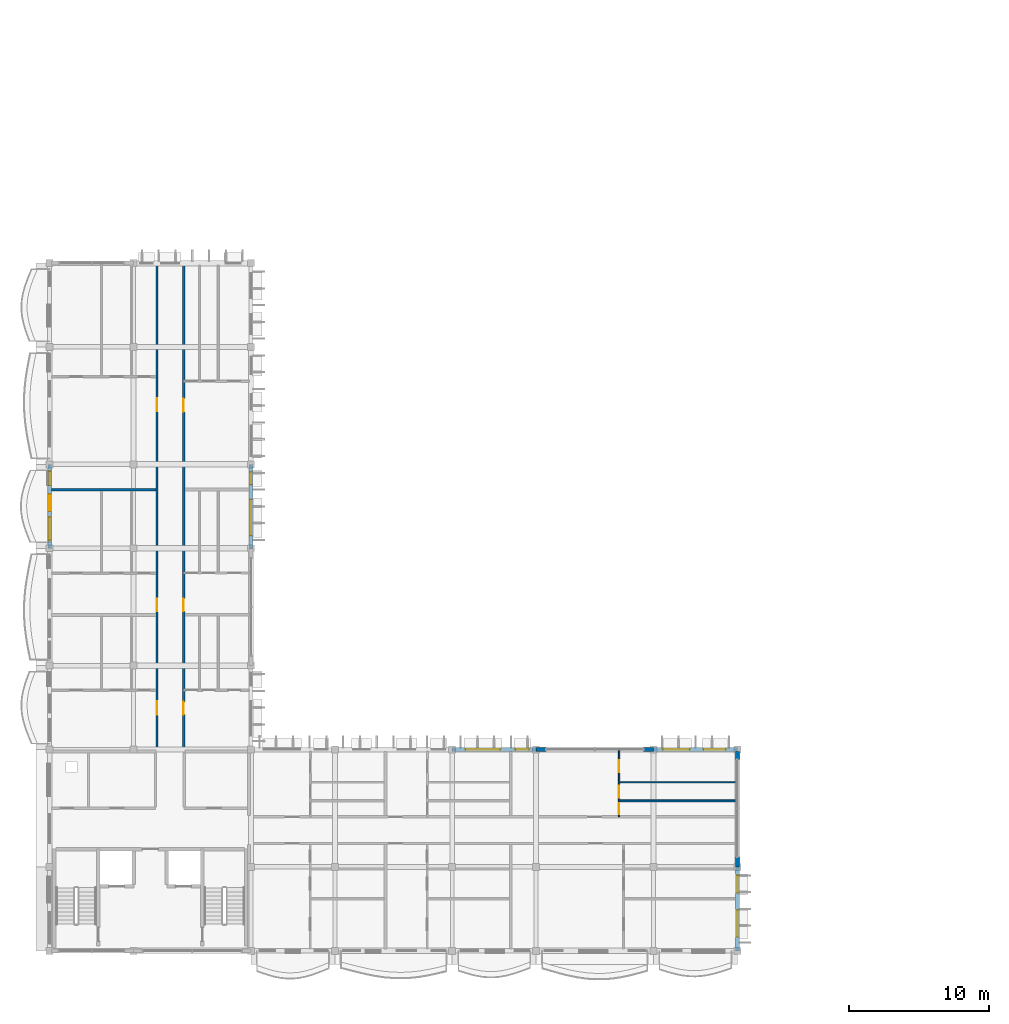
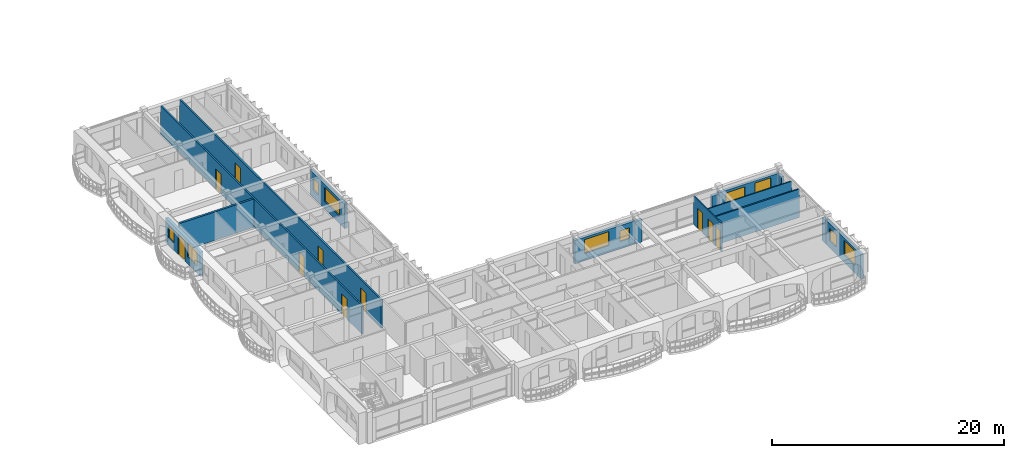
# One storey, part 26 of 68: 15 walls, 10 doors, 10 windows, 20 openings.
"""IFC4 building model written with IfcOpenShell, lengths in metres."""

from ifc_helpers import new_model, si_unit, direction, frame, frame_2d, origin, place, context, subcontext, project, spatial, rectangle, extrude, material, layer, layer_set, type_object, element, fill, save


model = new_model("IFC4")

# Units and contexts
model_context = context("Model", 3, precision=1e-05, world=origin(), true_north=direction((0.0, 1.0)))
body_context = subcontext(model_context, "Body", "Model", "MODEL_VIEW")
ifc_project = project(units=[si_unit("LENGTHUNIT", "METRE"), si_unit("AREAUNIT", "SQUARE_METRE"), si_unit("VOLUMEUNIT", "CUBIC_METRE"), si_unit("PLANEANGLEUNIT", "RADIAN"), si_unit("MASSUNIT", "GRAM", prefix="KILO"), si_unit("THERMODYNAMICTEMPERATUREUNIT", "KELVIN")], contexts=[model_context])

# Site, building, storey
site_placement = place(None, origin())
site = spatial("IfcSite", under=ifc_project, at=site_placement, CompositionType="ELEMENT")
building_placement = place(site_placement, origin())
building = spatial("IfcBuilding", under=site, at=building_placement, Name="Thalorik Housing Commons", CompositionType="ELEMENT")
storey_placement = place(building_placement, frame((0.0, 0.0, 24.60009765625)))
storey = spatial("IfcBuildingStorey", under=building, at=storey_placement, Name="L07", CompositionType="ELEMENT", Elevation=24.60009765625)

# Wall, openings, doors
ifc_material_1 = material(Name="Masonry fire-rated corridor wall", Category="masonry")
ifc_layer_1 = layer(ifc_material_1, 0.14990234375, Name="Masonry fire-rated corridor wall", Category="masonry")
ifc_layer_set_1 = layer_set([ifc_layer_1], Name="Masonry fire-rated corridor wall")
wall_type_1 = type_object("IfcWallType", Name="ARC-WAL-CORR-150", PredefinedType="PARTITIONING", material=ifc_layer_set_1)
wall_1_placement = place(storey_placement, frame((16.080078125, 22.659912109375, 0.0), z_axis=(0.0, 0.0, 1.0), x_axis=(0.0, 1.0, 0.0)))
wall_1 = element("IfcWall", 1, at=wall_1_placement, inside=storey, type_object=wall_type_1, Name="L07 Block C W Corridor Wall 1", PredefinedType="PARTITIONING", context=body_context, shape_type="SweptSolid", body=[
    extrude(rectangle(XDim=34.800537109375, YDim=0.14990234375, at=frame_2d((17.400390625, 0.0))), origin(), (0.0, 0.0, 1.0), 3.0),
])
opening_1_placement = place(wall_1_placement, frame((2.626708984375, 0.0, 0.0)))
opening_1 = element("IfcOpeningElement", 2, at=opening_1_placement, cuts=wall_1, Name="Opening ID-1860", PredefinedType="OPENING", context=body_context, shape_type="SweptSolid", body=[
    extrude(rectangle(XDim=0.9599609375, YDim=2.1201171875, at=frame_2d((0.47998046875, 1.06005859375))), frame((0.0, 0.0849609375, 0.0), z_axis=(0.0, -1.0, 0.0), x_axis=(1.0, 0.0, 0.0)), (0.0, 0.0, 1.0), 0.169921875),
])
opening_2_placement = place(wall_1_placement, frame((10.02001953125, 0.0, 0.0)))
opening_2 = element("IfcOpeningElement", 3, at=opening_2_placement, cuts=wall_1, Name="Opening ID-1861", PredefinedType="OPENING", context=body_context, shape_type="SweptSolid", body=[
    extrude(rectangle(XDim=0.919921875, YDim=2.10009765625, at=frame_2d((0.4599609375, 1.050048828125))), frame((0.0, 0.0849609375, 0.0), z_axis=(0.0, -1.0, 0.0), x_axis=(1.0, 0.0, 0.0)), (0.0, 0.0, 1.0), 0.169921875),
])
opening_3_placement = place(wall_1_placement, frame((24.354736328125, 0.0, 0.0)))
opening_3 = element("IfcOpeningElement", 4, at=opening_3_placement, cuts=wall_1, Name="Opening ID-1862", PredefinedType="OPENING", context=body_context, shape_type="SweptSolid", body=[
    extrude(rectangle(XDim=0.919921875, YDim=2.10009765625, at=frame_2d((0.4599609375, 1.050048828125))), frame((0.0, 0.0849609375, 0.0), z_axis=(0.0, -1.0, 0.0), x_axis=(1.0, 0.0, 0.0)), (0.0, 0.0, 1.0), 0.169921875),
])
ifc_material_2 = material(Name="Solid core hardwood timber", Category="wood")
door_type_1 = type_object("IfcDoorType", Name="ARC-DR-FD30-920", OperationType="NOTDEFINED", PredefinedType="DOOR", material=ifc_material_2)
door_1_placement = place(opening_2_placement, origin())
door_1 = element("IfcDoor", 5, at=door_1_placement, inside=storey, type_object=door_type_1, Name="L07 Flat CW-2A Entrance Door", OperationType="SINGLE_SWING_RIGHT", OverallHeight=2.10009765625, OverallWidth=0.919921875, PredefinedType="DOOR", context=body_context, shape_type="SweptSolid", body=[
    extrude(rectangle(XDim=0.919921875, YDim=2.10009765625, at=frame_2d((0.4599609375, 1.050048828125))), frame((0.0, 0.02490234375, 0.0), z_axis=(0.0, -1.0, 0.0), x_axis=(1.0, 0.0, 0.0)), (0.0, 0.0, 1.0), 0.050048828125),
])
fill(opening_2, door_1)
door_2_placement = place(opening_3_placement, origin())
door_2 = element("IfcDoor", 6, at=door_2_placement, inside=storey, type_object=door_type_1, Name="L07 Flat CW-3A Entrance Door", OperationType="SINGLE_SWING_LEFT", OverallHeight=2.10009765625, OverallWidth=0.919921875, PredefinedType="DOOR", context=body_context, shape_type="SweptSolid", body=[
    extrude(rectangle(XDim=0.919921875, YDim=2.10009765625, at=frame_2d((0.4599609375, 1.050048828125))), frame((0.0, 0.02490234375, 0.0), z_axis=(0.0, -1.0, 0.0), x_axis=(1.0, 0.0, 0.0)), (0.0, 0.0, 1.0), 0.050048828125),
])
fill(opening_3, door_2)
door_type_2 = type_object("IfcDoorType", Name="ARC-DR-FD30-960", OperationType="NOTDEFINED", PredefinedType="DOOR", material=ifc_material_2)
door_3_placement = place(opening_1_placement, origin())
door_3 = element("IfcDoor", 7, at=door_3_placement, inside=storey, type_object=door_type_2, Name="L07 Flat CW-1A Entrance Door", OperationType="SINGLE_SWING_LEFT", OverallHeight=2.1201171875, OverallWidth=0.9599609375, PredefinedType="DOOR", context=body_context, shape_type="SweptSolid", body=[
    extrude(rectangle(XDim=0.9599609375, YDim=2.1201171875, at=frame_2d((0.47998046875, 1.06005859375))), frame((0.0, 0.02490234375, 0.0), z_axis=(0.0, -1.0, 0.0), x_axis=(1.0, 0.0, 0.0)), (0.0, 0.0, 1.0), 0.050048828125),
])
fill(opening_1, door_3)

ifc_layer_2 = layer(ifc_material_1, 0.1650390625, Name="Masonry fire-rated corridor wall", Category="masonry")
ifc_layer_set_2 = layer_set([ifc_layer_2], Name="Masonry fire-rated corridor wall")
wall_type_2 = type_object("IfcWallType", Name="ARC-WAL-CORR-165", PredefinedType="PARTITIONING", material=ifc_layer_set_2)
wall_2_placement = place(storey_placement, frame((17.97998046875, 22.659912109375, 0.0), z_axis=(0.0, 0.0, 1.0), x_axis=(0.0, 1.0, 0.0)))
wall_2 = element("IfcWall", 8, at=wall_2_placement, inside=storey, type_object=wall_type_2, Name="L07 Block C W Corridor Wall 2", PredefinedType="PARTITIONING", context=body_context, shape_type="SweptSolid", body=[
    extrude(rectangle(XDim=34.800537109375, YDim=0.1650390625, at=frame_2d((17.400390625, 0.0))), origin(), (0.0, 0.0, 1.0), 3.0),
])
opening_4_placement = place(wall_2_placement, frame((2.63037109375, 0.0, 0.0)))
opening_4 = element("IfcOpeningElement", 9, at=opening_4_placement, cuts=wall_2, Name="Opening ID-1863", PredefinedType="OPENING", context=body_context, shape_type="SweptSolid", body=[
    extrude(rectangle(XDim=0.919921875, YDim=2.10009765625, at=frame_2d((0.4599609375, 1.050048828125))), frame((0.0, 0.092529296875, 0.0), z_axis=(0.0, -1.0, 0.0), x_axis=(1.0, 0.0, 0.0)), (0.0, 0.0, 1.0), 0.18505859375),
])
opening_5_placement = place(wall_2_placement, frame((10.02001953125, 0.0, 0.0)))
opening_5 = element("IfcOpeningElement", 10, at=opening_5_placement, cuts=wall_2, Name="Opening ID-1864", PredefinedType="OPENING", context=body_context, shape_type="SweptSolid", body=[
    extrude(rectangle(XDim=0.919921875, YDim=2.10009765625, at=frame_2d((0.4599609375, 1.050048828125))), frame((0.0, 0.092529296875, 0.0), z_axis=(0.0, -1.0, 0.0), x_axis=(1.0, 0.0, 0.0)), (0.0, 0.0, 1.0), 0.18505859375),
])
opening_6_placement = place(wall_2_placement, frame((24.288818359375, 0.0, 0.0)))
opening_6 = element("IfcOpeningElement", 11, at=opening_6_placement, cuts=wall_2, Name="Opening ID-1865", PredefinedType="OPENING", context=body_context, shape_type="SweptSolid", body=[
    extrude(rectangle(XDim=0.9599609375, YDim=2.1201171875, at=frame_2d((0.47998046875, 1.06005859375))), frame((0.0, 0.092529296875, 0.0), z_axis=(0.0, -1.0, 0.0), x_axis=(1.0, 0.0, 0.0)), (0.0, 0.0, 1.0), 0.18505859375),
])
door_4_placement = place(opening_4_placement, origin())
door_4 = element("IfcDoor", 12, at=door_4_placement, inside=storey, type_object=door_type_1, Name="L07 Flat CW-1B Entrance Door", OperationType="SINGLE_SWING_RIGHT", OverallHeight=2.10009765625, OverallWidth=0.919921875, PredefinedType="DOOR", context=body_context, shape_type="SweptSolid", body=[
    extrude(rectangle(XDim=0.919921875, YDim=2.10009765625, at=frame_2d((0.4599609375, 1.050048828125))), frame((0.0, 0.02490234375, 0.0), z_axis=(0.0, -1.0, 0.0), x_axis=(1.0, 0.0, 0.0)), (0.0, 0.0, 1.0), 0.050048828125),
])
fill(opening_4, door_4)
door_5_placement = place(opening_5_placement, origin())
door_5 = element("IfcDoor", 13, at=door_5_placement, inside=storey, type_object=door_type_1, Name="L07 Flat CW-2B Entrance Door", OperationType="SINGLE_SWING_LEFT", OverallHeight=2.10009765625, OverallWidth=0.919921875, PredefinedType="DOOR", context=body_context, shape_type="SweptSolid", body=[
    extrude(rectangle(XDim=0.919921875, YDim=2.10009765625, at=frame_2d((0.4599609375, 1.050048828125))), frame((0.0, 0.02490234375, 0.0), z_axis=(0.0, -1.0, 0.0), x_axis=(1.0, 0.0, 0.0)), (0.0, 0.0, 1.0), 0.050048828125),
])
fill(opening_5, door_5)
door_6_placement = place(opening_6_placement, origin())
door_6 = element("IfcDoor", 14, at=door_6_placement, inside=storey, type_object=door_type_2, Name="L07 Flat CW-3B Entrance Door", OperationType="SINGLE_SWING_RIGHT", OverallHeight=2.1201171875, OverallWidth=0.9599609375, PredefinedType="DOOR", context=body_context, shape_type="SweptSolid", body=[
    extrude(rectangle(XDim=0.9599609375, YDim=2.1201171875, at=frame_2d((0.47998046875, 1.06005859375))), frame((0.0, 0.02490234375, 0.0), z_axis=(0.0, -1.0, 0.0), x_axis=(1.0, 0.0, 0.0)), (0.0, 0.0, 1.0), 0.050048828125),
])
fill(opening_6, door_6)

# Wall, openings, windows
ifc_material_3 = material(Name="White precast concrete C40/50", Category="concrete")
ifc_layer_3 = layer(ifc_material_3, 0.27490234375, Name="White precast concrete C40/50", Category="concrete")
ifc_layer_set_3 = layer_set([ifc_layer_3], Name="White precast concrete C40/50")
wall_type_3 = type_object("IfcWallType", Name="ARC-WAL-EXT-275", PredefinedType="STANDARD", material=ifc_layer_set_3)
wall_3_placement = place(storey_placement, frame((22.800048828125, 37.199951171875, 0.0), z_axis=(0.0, 0.0, 1.0), x_axis=(0.0, 1.0, 0.0)))
wall_3 = element("IfcWall", 15, at=wall_3_placement, inside=storey, type_object=wall_type_3, Name="L07 Exterior Wall WAL-EXT-L07-C-1019", PredefinedType="STANDARD", context=body_context, shape_type="SweptSolid", body=[
    extrude(rectangle(XDim=6.0, YDim=0.27490234375, at=frame_2d((3.0, 0.0))), origin(), (0.0, 0.0, 1.0), 2.574951171875),
])
opening_7_placement = place(wall_3_placement, frame((0.89990234375, 0.0, 0.780029296875)))
opening_7 = element("IfcOpeningElement", 16, at=opening_7_placement, cuts=wall_3, Name="Opening W-73", PredefinedType="OPENING", context=body_context, shape_type="SweptSolid", body=[
    extrude(rectangle(XDim=2.580078125, YDim=1.47998046875, at=frame_2d((1.2900390625, 0.739990234375))), frame((0.0, 0.1474609375, 0.0), z_axis=(0.0, -1.0, 0.0), x_axis=(1.0, 0.0, 0.0)), (0.0, 0.0, 1.0), 0.294921875),
])
opening_8_placement = place(wall_3_placement, frame((4.550048828125, 0.0, 0.780029296875)))
opening_8 = element("IfcOpeningElement", 17, at=opening_8_placement, cuts=wall_3, Name="Opening W-01", PredefinedType="OPENING", context=body_context, shape_type="SweptSolid", body=[
    extrude(rectangle(XDim=0.89990234375, YDim=1.199951171875, at=frame_2d((0.449951171875, 0.60009765625))), frame((0.0, 0.1474609375, 0.0), z_axis=(0.0, -1.0, 0.0), x_axis=(1.0, 0.0, 0.0)), (0.0, 0.0, 1.0), 0.294921875),
])
ifc_material_4 = material(Name="Anodised aluminium and solar-control low-E glass", Category="aluminium")
window_type_1 = type_object("IfcWindowType", Name="ARC-WIN-01", PartitioningType="SINGLE_PANEL", PredefinedType="WINDOW", material=ifc_material_4)
window_1_placement = place(opening_8_placement, origin())
window_1 = element("IfcWindow", 18, at=window_1_placement, inside=storey, type_object=window_type_1, Name="L07 Facade Window 1884", OverallHeight=1.199951171875, OverallWidth=0.89990234375, PartitioningType="SINGLE_PANEL", PredefinedType="WINDOW", context=body_context, shape_type="SweptSolid", body=[
    extrude(rectangle(XDim=0.89990234375, YDim=1.199951171875, at=frame_2d((0.449951171875, 0.60009765625))), frame((0.0, 0.030029296875, 0.0), z_axis=(0.0, -1.0, 0.0), x_axis=(1.0, 0.0, 0.0)), (0.0, 0.0, 1.0), 0.06005859375),
])
fill(opening_8, window_1)
window_type_2 = type_object("IfcWindowType", Name="ARC-WIN-73", PartitioningType="DOUBLE_PANEL_VERTICAL", PredefinedType="WINDOW", material=ifc_material_4)
window_2_placement = place(opening_7_placement, origin())
window_2 = element("IfcWindow", 19, at=window_2_placement, inside=storey, type_object=window_type_2, Name="L07 Facade Window 1883", OverallHeight=1.47998046875, OverallWidth=2.580078125, PartitioningType="DOUBLE_PANEL_VERTICAL", PredefinedType="WINDOW", context=body_context, shape_type="SweptSolid", body=[
    extrude(rectangle(XDim=2.580078125, YDim=1.47998046875, at=frame_2d((1.2900390625, 0.739990234375))), frame((0.0, 0.030029296875, 0.0), z_axis=(0.0, -1.0, 0.0), x_axis=(1.0, 0.0, 0.0)), (0.0, 0.0, 1.0), 0.06005859375),
])
fill(opening_7, window_2)

# Wall, openings, door, windows
wall_4_placement = place(storey_placement, frame((8.39990234375, 43.199951171875, 0.0), z_axis=(0.0, 0.0, 1.0), x_axis=(0.0, -1.0, 0.0)))
wall_4 = element("IfcWall", 20, at=wall_4_placement, inside=storey, type_object=wall_type_3, Name="L07 Exterior Wall WAL-EXT-L07-C-1026", PredefinedType="STANDARD", context=body_context, shape_type="SweptSolid", body=[
    extrude(rectangle(XDim=6.0, YDim=0.27490234375, at=frame_2d((3.0, 0.0))), origin(), (0.0, 0.0, 1.0), 2.574951171875),
])
opening_9_placement = place(wall_4_placement, frame((2.139892578125, 0.0, 0.0)))
opening_9 = element("IfcOpeningElement", 21, at=opening_9_placement, cuts=wall_4, Name="Opening ED-0340", PredefinedType="OPENING", context=body_context, shape_type="SweptSolid", body=[
    extrude(rectangle(XDim=1.199951171875, YDim=2.14990234375, at=frame_2d((0.60009765625, 1.074951171875))), frame((0.0, 0.1474609375, 0.0), z_axis=(0.0, -1.0, 0.0), x_axis=(1.0, 0.0, 0.0)), (0.0, 0.0, 1.0), 0.294921875),
])
opening_10_placement = place(wall_4_placement, frame((0.5, 0.0, 0.780029296875)))
opening_10 = element("IfcOpeningElement", 22, at=opening_10_placement, cuts=wall_4, Name="Opening W-02", PredefinedType="OPENING", context=body_context, shape_type="SweptSolid", body=[
    extrude(rectangle(XDim=1.0, YDim=1.25, at=frame_2d((0.5, 0.625))), frame((0.0, 0.1474609375, 0.0), z_axis=(0.0, -1.0, 0.0), x_axis=(1.0, 0.0, 0.0)), (0.0, 0.0, 1.0), 0.294921875),
])
opening_11_placement = place(wall_4_placement, frame((3.77490234375, 0.0, 0.780029296875)))
opening_11 = element("IfcOpeningElement", 23, at=opening_11_placement, cuts=wall_4, Name="Opening W-15", PredefinedType="OPENING", context=body_context, shape_type="SweptSolid", body=[
    extrude(rectangle(XDim=1.64990234375, YDim=1.5, at=frame_2d((0.824951171875, 0.75))), frame((0.0, 0.1474609375, 0.0), z_axis=(0.0, -1.0, 0.0), x_axis=(1.0, 0.0, 0.0)), (0.0, 0.0, 1.0), 0.294921875),
])
ifc_material_5 = material(Name="Anodised aluminium and laminated safety glass", Category="aluminium")
door_type_3 = type_object("IfcDoorType", Name="ARC-DR-BAL-1200", OperationType="NOTDEFINED", PredefinedType="DOOR", material=ifc_material_5)
door_7_placement = place(opening_9_placement, frame((1.199951171875, 0.0, 0.0), z_axis=(0.0, 0.0, 1.0), x_axis=(-1.0, 0.0, 0.0)))
door_7 = element("IfcDoor", 24, at=door_7_placement, inside=storey, type_object=door_type_3, Name="L07 Block C Balcony Glazed Door", OperationType="SINGLE_SWING_LEFT", OverallHeight=2.14990234375, OverallWidth=1.199951171875, PredefinedType="DOOR", context=body_context, shape_type="SweptSolid", body=[
    extrude(rectangle(XDim=1.199951171875, YDim=2.14990234375, at=frame_2d((0.60009765625, 1.074951171875))), frame((0.0, 0.02490234375, 0.0), z_axis=(0.0, -1.0, 0.0), x_axis=(1.0, 0.0, 0.0)), (0.0, 0.0, 1.0), 0.050048828125),
])
fill(opening_9, door_7)
window_type_3 = type_object("IfcWindowType", Name="ARC-WIN-02", PartitioningType="SINGLE_PANEL", PredefinedType="WINDOW", material=ifc_material_4)
window_3_placement = place(opening_10_placement, origin())
window_3 = element("IfcWindow", 25, at=window_3_placement, inside=storey, type_object=window_type_3, Name="L07 Facade Window 1896", OverallHeight=1.25, OverallWidth=1.0, PartitioningType="SINGLE_PANEL", PredefinedType="WINDOW", context=body_context, shape_type="SweptSolid", body=[
    extrude(rectangle(XDim=1.0, YDim=1.25, at=frame_2d((0.5, 0.625))), frame((0.0, 0.030029296875, 0.0), z_axis=(0.0, -1.0, 0.0), x_axis=(1.0, 0.0, 0.0)), (0.0, 0.0, 1.0), 0.06005859375),
])
fill(opening_10, window_3)
window_type_4 = type_object("IfcWindowType", Name="ARC-WIN-15", PartitioningType="DOUBLE_PANEL_VERTICAL", PredefinedType="WINDOW", material=ifc_material_4)
window_4_placement = place(opening_11_placement, origin())
window_4 = element("IfcWindow", 26, at=window_4_placement, inside=storey, type_object=window_type_4, Name="L07 Facade Window 1897", OverallHeight=1.5, OverallWidth=1.64990234375, PartitioningType="DOUBLE_PANEL_VERTICAL", PredefinedType="WINDOW", context=body_context, shape_type="SweptSolid", body=[
    extrude(rectangle(XDim=1.64990234375, YDim=1.5, at=frame_2d((0.824951171875, 0.75))), frame((0.0, 0.030029296875, 0.0), z_axis=(0.0, -1.0, 0.0), x_axis=(1.0, 0.0, 0.0)), (0.0, 0.0, 1.0), 0.06005859375),
])
fill(opening_11, window_4)

# Wall, openings, windows
wall_5_placement = place(storey_placement, frame((57.60009765625, 8.39990234375, 0.0), z_axis=(0.0, 0.0, 1.0), x_axis=(0.0, 1.0, 0.0)))
wall_5 = element("IfcWall", 27, at=wall_5_placement, inside=storey, type_object=wall_type_3, Name="L07 Exterior Wall WAL-EXT-L07-C-1038", PredefinedType="STANDARD", context=body_context, shape_type="SweptSolid", body=[
    extrude(rectangle(XDim=6.0, YDim=0.27490234375, at=frame_2d((3.0, 0.0))), origin(), (0.0, 0.0, 1.0), 2.574951171875),
])
opening_12_placement = place(wall_5_placement, frame((1.00390625, 0.0, 0.780029296875)))
opening_12 = element("IfcOpeningElement", 28, at=opening_12_placement, cuts=wall_5, Name="Opening W-21", PredefinedType="OPENING", context=body_context, shape_type="SweptSolid", body=[
    extrude(rectangle(XDim=1.89990234375, YDim=1.550048828125, at=frame_2d((0.949951171875, 0.77490234375))), frame((0.0, 0.1474609375, 0.0), z_axis=(0.0, -1.0, 0.0), x_axis=(1.0, 0.0, 0.0)), (0.0, 0.0, 1.0), 0.294921875),
])
opening_13_placement = place(wall_5_placement, frame((4.138916015625, 0.0, 0.780029296875)))
opening_13 = element("IfcOpeningElement", 29, at=opening_13_placement, cuts=wall_5, Name="Opening W-46", PredefinedType="OPENING", context=body_context, shape_type="SweptSolid", body=[
    extrude(rectangle(XDim=1.25, YDim=1.300048828125, at=frame_2d((0.625, 0.64990234375))), frame((0.0, 0.1474609375, 0.0), z_axis=(0.0, -1.0, 0.0), x_axis=(1.0, 0.0, 0.0)), (0.0, 0.0, 1.0), 0.294921875),
])
window_type_5 = type_object("IfcWindowType", Name="ARC-WIN-21", PartitioningType="DOUBLE_PANEL_VERTICAL", PredefinedType="WINDOW", material=ifc_material_4)
window_5_placement = place(opening_12_placement, origin())
window_5 = element("IfcWindow", 30, at=window_5_placement, inside=storey, type_object=window_type_5, Name="L07 Facade Window 1917", OverallHeight=1.550048828125, OverallWidth=1.89990234375, PartitioningType="DOUBLE_PANEL_VERTICAL", PredefinedType="WINDOW", context=body_context, shape_type="SweptSolid", body=[
    extrude(rectangle(XDim=1.89990234375, YDim=1.550048828125, at=frame_2d((0.949951171875, 0.77490234375))), frame((0.0, 0.030029296875, 0.0), z_axis=(0.0, -1.0, 0.0), x_axis=(1.0, 0.0, 0.0)), (0.0, 0.0, 1.0), 0.06005859375),
])
fill(opening_12, window_5)
window_type_6 = type_object("IfcWindowType", Name="ARC-WIN-46", PartitioningType="SINGLE_PANEL", PredefinedType="WINDOW", material=ifc_material_4)
window_6_placement = place(opening_13_placement, origin())
window_6 = element("IfcWindow", 31, at=window_6_placement, inside=storey, type_object=window_type_6, Name="L07 Facade Window 1918", OverallHeight=1.300048828125, OverallWidth=1.25, PartitioningType="SINGLE_PANEL", PredefinedType="WINDOW", context=body_context, shape_type="SweptSolid", body=[
    extrude(rectangle(XDim=1.25, YDim=1.300048828125, at=frame_2d((0.625, 0.64990234375))), frame((0.0, 0.030029296875, 0.0), z_axis=(0.0, -1.0, 0.0), x_axis=(1.0, 0.0, 0.0)), (0.0, 0.0, 1.0), 0.06005859375),
])
fill(opening_13, window_6)

# Walls
wall_6_placement = place(storey_placement, frame((57.60009765625, 14.39990234375, 0.0), z_axis=(0.0, 0.0, 1.0), x_axis=(0.0, 1.0, 0.0)))
element("IfcWall", 32, at=wall_6_placement, inside=storey, type_object=wall_type_3, Name="L07 Exterior Wall WAL-PIERL-L07-C-1039", PredefinedType="STANDARD", context=body_context, shape_type="SweptSolid", body=[
    extrude(rectangle(XDim=0.7001953125, YDim=0.27490234375, at=frame_2d((0.35009765625, 0.0))), origin(), (0.0, 0.0, 1.0), 2.4248046875),
])
wall_7_placement = place(storey_placement, frame((57.60009765625, 22.10009765625, 0.0), z_axis=(0.0, 0.0, 1.0), x_axis=(0.0, 1.0, 0.0)))
element("IfcWall", 33, at=wall_7_placement, inside=storey, type_object=wall_type_3, Name="L07 Exterior Wall WAL-PIERR-L07-C-1039", PredefinedType="STANDARD", context=body_context, shape_type="SweptSolid", body=[
    extrude(rectangle(XDim=0.560302734375, YDim=0.27490234375, at=frame_2d((0.2802734375, 0.0))), origin(), (0.0, 0.0, 1.0), 2.4248046875),
])

# Wall, openings, windows
wall_8_placement = place(storey_placement, frame((57.60009765625, 22.800048828125, 0.0), z_axis=(0.0, 0.0, 1.0), x_axis=(-1.0, 0.0, 0.0)))
wall_8 = element("IfcWall", 34, at=wall_8_placement, inside=storey, type_object=wall_type_3, Name="L07 Exterior Wall WAL-EXT-L07-C-1040", PredefinedType="STANDARD", context=body_context, shape_type="SweptSolid", body=[
    extrude(rectangle(XDim=6.0, YDim=0.27490234375, at=frame_2d((3.0, 0.0))), origin(), (0.0, 0.0, 1.0), 2.474853515625),
])
opening_14_placement = place(wall_8_placement, frame((0.840087890625, 0.0, 0.780029296875)))
opening_14 = element("IfcOpeningElement", 35, at=opening_14_placement, cuts=wall_8, Name="Opening W-53", PredefinedType="OPENING", context=body_context, shape_type="SweptSolid", body=[
    extrude(rectangle(XDim=1.580078125, YDim=1.47998046875, at=frame_2d((0.7900390625, 0.739990234375))), frame((0.0, 0.1474609375, 0.0), z_axis=(0.0, -1.0, 0.0), x_axis=(1.0, 0.0, 0.0)), (0.0, 0.0, 1.0), 0.294921875),
])
opening_15_placement = place(wall_8_placement, frame((3.409912109375, 0.0, 0.780029296875)))
opening_15 = element("IfcOpeningElement", 36, at=opening_15_placement, cuts=wall_8, Name="Opening W-60", PredefinedType="OPENING", context=body_context, shape_type="SweptSolid", body=[
    extrude(rectangle(XDim=1.919921875, YDim=1.43994140625, at=frame_2d((0.9599609375, 0.719970703125))), frame((0.0, 0.1474609375, 0.0), z_axis=(0.0, -1.0, 0.0), x_axis=(1.0, 0.0, 0.0)), (0.0, 0.0, 1.0), 0.294921875),
])
window_type_7 = type_object("IfcWindowType", Name="ARC-WIN-53", PartitioningType="SINGLE_PANEL", PredefinedType="WINDOW", material=ifc_material_4)
window_7_placement = place(opening_14_placement, origin())
window_7 = element("IfcWindow", 37, at=window_7_placement, inside=storey, type_object=window_type_7, Name="L07 Facade Window 1919", OverallHeight=1.47998046875, OverallWidth=1.580078125, PartitioningType="SINGLE_PANEL", PredefinedType="WINDOW", context=body_context, shape_type="SweptSolid", body=[
    extrude(rectangle(XDim=1.580078125, YDim=1.47998046875, at=frame_2d((0.7900390625, 0.739990234375))), frame((0.0, 0.030029296875, 0.0), z_axis=(0.0, -1.0, 0.0), x_axis=(1.0, 0.0, 0.0)), (0.0, 0.0, 1.0), 0.06005859375),
])
fill(opening_14, window_7)
window_type_8 = type_object("IfcWindowType", Name="ARC-WIN-60", PartitioningType="DOUBLE_PANEL_VERTICAL", PredefinedType="WINDOW", material=ifc_material_4)
window_8_placement = place(opening_15_placement, origin())
window_8 = element("IfcWindow", 38, at=window_8_placement, inside=storey, type_object=window_type_8, Name="L07 Facade Window 1920", OverallHeight=1.43994140625, OverallWidth=1.919921875, PartitioningType="DOUBLE_PANEL_VERTICAL", PredefinedType="WINDOW", context=body_context, shape_type="SweptSolid", body=[
    extrude(rectangle(XDim=1.919921875, YDim=1.43994140625, at=frame_2d((0.9599609375, 0.719970703125))), frame((0.0, 0.030029296875, 0.0), z_axis=(0.0, -1.0, 0.0), x_axis=(1.0, 0.0, 0.0)), (0.0, 0.0, 1.0), 0.06005859375),
])
fill(opening_15, window_8)

# Walls
wall_9_placement = place(storey_placement, frame((51.60009765625, 22.800048828125, 0.0), z_axis=(0.0, 0.0, 1.0), x_axis=(-1.0, 0.0, 0.0)))
element("IfcWall", 39, at=wall_9_placement, inside=storey, type_object=wall_type_3, Name="L07 Exterior Wall WAL-PIERL-L07-C-1041", PredefinedType="STANDARD", context=body_context, shape_type="SweptSolid", body=[
    extrude(rectangle(XDim=0.7001953125, YDim=0.27490234375, at=frame_2d((0.35009765625, 0.0))), origin(), (0.0, 0.0, 1.0), 2.375),
])
wall_10_placement = place(storey_placement, frame((43.89990234375, 22.800048828125, 0.0), z_axis=(0.0, 0.0, 1.0), x_axis=(-1.0, 0.0, 0.0)))
element("IfcWall", 40, at=wall_10_placement, inside=storey, type_object=wall_type_3, Name="L07 Exterior Wall WAL-PIERR-L07-C-1041", PredefinedType="STANDARD", context=body_context, shape_type="SweptSolid", body=[
    extrude(rectangle(XDim=0.699951171875, YDim=0.27490234375, at=frame_2d((0.35009765625, 0.0))), origin(), (0.0, 0.0, 1.0), 2.375),
])

# Wall, openings, windows
wall_11_placement = place(storey_placement, frame((43.199951171875, 22.800048828125, 0.0), z_axis=(0.0, 0.0, 1.0), x_axis=(-1.0, 0.0, 0.0)))
wall_11 = element("IfcWall", 41, at=wall_11_placement, inside=storey, type_object=wall_type_3, Name="L07 Exterior Wall WAL-EXT-L07-C-1042", PredefinedType="STANDARD", context=body_context, shape_type="SweptSolid", body=[
    extrude(rectangle(XDim=6.0, YDim=0.27490234375, at=frame_2d((3.0, 0.0))), origin(), (0.0, 0.0, 1.0), 2.474853515625),
])
opening_16_placement = place(wall_11_placement, frame((0.52490234375, 0.0, 0.780029296875)))
opening_16 = element("IfcOpeningElement", 42, at=opening_16_placement, cuts=wall_11, Name="Opening W-43", PredefinedType="OPENING", context=body_context, shape_type="SweptSolid", body=[
    extrude(rectangle(XDim=0.949951171875, YDim=1.14990234375, at=frame_2d((0.47509765625, 0.574951171875))), frame((0.0, 0.1474609375, 0.0), z_axis=(0.0, -1.0, 0.0), x_axis=(1.0, 0.0, 0.0)), (0.0, 0.0, 1.0), 0.294921875),
])
opening_17_placement = place(wall_11_placement, frame((2.570068359375, 0.0, 0.780029296875)))
opening_17 = element("IfcOpeningElement", 43, at=opening_17_placement, cuts=wall_11, Name="Opening W-71", PredefinedType="OPENING", context=body_context, shape_type="SweptSolid", body=[
    extrude(rectangle(XDim=2.47998046875, YDim=1.4599609375, at=frame_2d((1.239990234375, 0.72998046875))), frame((0.0, 0.1474609375, 0.0), z_axis=(0.0, -1.0, 0.0), x_axis=(1.0, 0.0, 0.0)), (0.0, 0.0, 1.0), 0.294921875),
])
window_type_9 = type_object("IfcWindowType", Name="ARC-WIN-43", PartitioningType="SINGLE_PANEL", PredefinedType="WINDOW", material=ifc_material_4)
window_9_placement = place(opening_16_placement, origin())
window_9 = element("IfcWindow", 44, at=window_9_placement, inside=storey, type_object=window_type_9, Name="L07 Facade Window 1921", OverallHeight=1.14990234375, OverallWidth=0.949951171875, PartitioningType="SINGLE_PANEL", PredefinedType="WINDOW", context=body_context, shape_type="SweptSolid", body=[
    extrude(rectangle(XDim=0.949951171875, YDim=1.14990234375, at=frame_2d((0.47509765625, 0.574951171875))), frame((0.0, 0.030029296875, 0.0), z_axis=(0.0, -1.0, 0.0), x_axis=(1.0, 0.0, 0.0)), (0.0, 0.0, 1.0), 0.06005859375),
])
fill(opening_16, window_9)
window_type_10 = type_object("IfcWindowType", Name="ARC-WIN-71", PartitioningType="DOUBLE_PANEL_VERTICAL", PredefinedType="WINDOW", material=ifc_material_4)
window_10_placement = place(opening_17_placement, origin())
window_10 = element("IfcWindow", 45, at=window_10_placement, inside=storey, type_object=window_type_10, Name="L07 Facade Window 1922", OverallHeight=1.4599609375, OverallWidth=2.47998046875, PartitioningType="DOUBLE_PANEL_VERTICAL", PredefinedType="WINDOW", context=body_context, shape_type="SweptSolid", body=[
    extrude(rectangle(XDim=2.47998046875, YDim=1.4599609375, at=frame_2d((1.239990234375, 0.72998046875))), frame((0.0, 0.030029296875, 0.0), z_axis=(0.0, -1.0, 0.0), x_axis=(1.0, 0.0, 0.0)), (0.0, 0.0, 1.0), 0.06005859375),
])
fill(opening_17, window_10)

# Wall
ifc_material_6 = material(Name="Gypsum light stud partition", Category="masonry")
ifc_layer_4 = layer(ifc_material_6, 0.10009765625, Name="Gypsum light stud partition", Category="masonry")
ifc_layer_set_4 = layer_set([ifc_layer_4], Name="Gypsum light stud partition")
wall_type_4 = type_object("IfcWallType", Name="ARC-WAL-PART-100", PredefinedType="PARTITIONING", material=ifc_layer_set_4)
wall_12_placement = place(storey_placement, frame((49.201416015625, 20.455078125, 0.0), z_axis=(0.0, 0.0, 1.0), x_axis=(1.0, 0.0, 0.0)))
element("IfcWall", 46, at=wall_12_placement, inside=storey, type_object=wall_type_4, Name="L07 Unit 3B Bedroom Partition", PredefinedType="PARTITIONING", context=body_context, shape_type="SweptSolid", body=[
    extrude(rectangle(XDim=8.338623046875, YDim=0.10009765625, at=frame_2d((4.16943359375, 0.0))), origin(), (0.0, 0.0, 1.0), 3.0),
])

# Wall, openings, doors
ifc_material_7 = material(Name="Gypsum moisture-resistant partition", Category="masonry")
ifc_layer_5 = layer(ifc_material_7, 0.114990234375, Name="Gypsum moisture-resistant partition", Category="masonry")
ifc_layer_set_5 = layer_set([ifc_layer_5], Name="Gypsum moisture-resistant partition")
wall_type_5 = type_object("IfcWallType", Name="ARC-WAL-PART-115", PredefinedType="PARTITIONING", material=ifc_layer_set_5)
wall_13_placement = place(storey_placement, frame((49.14208984375, 17.97998046875, 0.0), z_axis=(0.0, 0.0, 1.0), x_axis=(0.0, 1.0, 0.0)))
wall_13 = element("IfcWall", 47, at=wall_13_placement, inside=storey, type_object=wall_type_5, Name="L07 Unit 3B Spine Partition", PredefinedType="PARTITIONING", context=body_context, shape_type="SweptSolid", body=[
    extrude(rectangle(XDim=4.760009765625, YDim=0.114990234375, at=frame_2d((2.3798828125, 0.0))), origin(), (0.0, 0.0, 1.0), 3.0),
])
opening_18_placement = place(wall_13_placement, frame((0.171142578125, 0.0, 0.0)))
opening_18 = element("IfcOpeningElement", 48, at=opening_18_placement, cuts=wall_13, Name="Opening ID-1881", PredefinedType="OPENING", context=body_context, shape_type="SweptSolid", body=[
    extrude(rectangle(XDim=0.800048828125, YDim=2.10009765625, at=frame_2d((0.39990234375, 1.050048828125))), frame((0.0, 0.0673828125, 0.0), z_axis=(0.0, -1.0, 0.0), x_axis=(1.0, 0.0, 0.0)), (0.0, 0.0, 1.0), 0.135009765625),
])
opening_19_placement = place(wall_13_placement, frame((1.3837890625, 0.0, 0.0)))
opening_19 = element("IfcOpeningElement", 49, at=opening_19_placement, cuts=wall_13, Name="Opening ID-1882", PredefinedType="OPENING", context=body_context, shape_type="SweptSolid", body=[
    extrude(rectangle(XDim=0.85009765625, YDim=2.10009765625, at=frame_2d((0.425048828125, 1.050048828125))), frame((0.0, 0.0673828125, 0.0), z_axis=(0.0, -1.0, 0.0), x_axis=(1.0, 0.0, 0.0)), (0.0, 0.0, 1.0), 0.135009765625),
])
opening_20_placement = place(wall_13_placement, frame((3.192626953125, 0.0, 0.0)))
opening_20 = element("IfcOpeningElement", 50, at=opening_20_placement, cuts=wall_13, Name="Opening ID-1883", PredefinedType="OPENING", context=body_context, shape_type="SweptSolid", body=[
    extrude(rectangle(XDim=0.85009765625, YDim=2.10009765625, at=frame_2d((0.425048828125, 1.050048828125))), frame((0.0, 0.0673828125, 0.0), z_axis=(0.0, -1.0, 0.0), x_axis=(1.0, 0.0, 0.0)), (0.0, 0.0, 1.0), 0.135009765625),
])
ifc_material_8 = material(Name="Moisture-resistant timber", Category="wood")
door_type_4 = type_object("IfcDoorType", Name="ARC-DR-INT-800", OperationType="NOTDEFINED", PredefinedType="DOOR", material=ifc_material_8)
door_8_placement = place(opening_18_placement, origin())
door_8 = element("IfcDoor", 51, at=door_8_placement, inside=storey, type_object=door_type_4, Name="L07 Flat Bathroom Door", OperationType="SINGLE_SWING_RIGHT", OverallHeight=2.10009765625, OverallWidth=0.800048828125, PredefinedType="DOOR", context=body_context, shape_type="SweptSolid", body=[
    extrude(rectangle(XDim=0.800048828125, YDim=2.10009765625, at=frame_2d((0.39990234375, 1.050048828125))), frame((0.0, 0.02490234375, 0.0), z_axis=(0.0, -1.0, 0.0), x_axis=(1.0, 0.0, 0.0)), (0.0, 0.0, 1.0), 0.050048828125),
])
fill(opening_18, door_8)
ifc_material_9 = material(Name="Engineered oak timber", Category="wood")
door_type_5 = type_object("IfcDoorType", Name="ARC-DR-INT-850", OperationType="NOTDEFINED", PredefinedType="DOOR", material=ifc_material_9)
door_9_placement = place(opening_19_placement, origin())
door_9 = element("IfcDoor", 52, at=door_9_placement, inside=storey, type_object=door_type_5, Name="L07 Galley Kitchen Door", OperationType="SINGLE_SWING_LEFT", OverallHeight=2.10009765625, OverallWidth=0.85009765625, PredefinedType="DOOR", context=body_context, shape_type="SweptSolid", body=[
    extrude(rectangle(XDim=0.85009765625, YDim=2.10009765625, at=frame_2d((0.425048828125, 1.050048828125))), frame((0.0, 0.02490234375, 0.0), z_axis=(0.0, -1.0, 0.0), x_axis=(1.0, 0.0, 0.0)), (0.0, 0.0, 1.0), 0.050048828125),
])
fill(opening_19, door_9)
door_10_placement = place(opening_20_placement, origin())
door_10 = element("IfcDoor", 53, at=door_10_placement, inside=storey, type_object=door_type_5, Name="L07 Double Bedroom Door", OperationType="SINGLE_SWING_RIGHT", OverallHeight=2.10009765625, OverallWidth=0.85009765625, PredefinedType="DOOR", context=body_context, shape_type="SweptSolid", body=[
    extrude(rectangle(XDim=0.85009765625, YDim=2.10009765625, at=frame_2d((0.425048828125, 1.050048828125))), frame((0.0, 0.02490234375, 0.0), z_axis=(0.0, -1.0, 0.0), x_axis=(1.0, 0.0, 0.0)), (0.0, 0.0, 1.0), 0.050048828125),
])
fill(opening_20, door_10)

# Walls
ifc_material_10 = material(Name="Ceramic masonry partition wall", Category="masonry")
ifc_layer_6 = layer(ifc_material_10, 0.139892578125, Name="Ceramic masonry partition wall", Category="masonry")
ifc_layer_set_6 = layer_set([ifc_layer_6], Name="Ceramic masonry partition wall")
wall_type_6 = type_object("IfcWallType", Name="ARC-WAL-PART-140", PredefinedType="PARTITIONING", material=ifc_layer_set_6)
wall_14_placement = place(storey_placement, frame((49.201416015625, 19.122314453125, 0.0), z_axis=(0.0, 0.0, 1.0), x_axis=(1.0, 0.0, 0.0)))
element("IfcWall", 54, at=wall_14_placement, inside=storey, type_object=wall_type_6, Name="L07 Unit 3B Wet Wall", PredefinedType="PARTITIONING", context=body_context, shape_type="SweptSolid", body=[
    extrude(rectangle(XDim=8.338623046875, YDim=0.139892578125, at=frame_2d((4.16943359375, 0.0))), origin(), (0.0, 0.0, 1.0), 3.0),
])
ifc_material_11 = material(Name="Precast concrete C40/50 acoustic wall", Category="concrete")
ifc_layer_7 = layer(ifc_material_11, 0.199951171875, Name="Precast concrete C40/50 acoustic wall", Category="concrete")
ifc_layer_set_7 = layer_set([ifc_layer_7], Name="Precast concrete C40/50 acoustic wall")
wall_type_7 = type_object("IfcWallType", Name="ARC-WAL-PARTY-200", PredefinedType="PARTITIONING", material=ifc_layer_set_7)
wall_15_placement = place(storey_placement, frame((8.53955078125, 41.389892578125, 0.0), z_axis=(0.0, 0.0, 1.0), x_axis=(1.0, 0.0, 0.0)))
element("IfcWall", 55, at=wall_15_placement, inside=storey, type_object=wall_type_7, Name="L07 Inter-Tenancy Wall 2A", PredefinedType="PARTITIONING", context=body_context, shape_type="SweptSolid", body=[
    extrude(rectangle(XDim=7.46337890625, YDim=0.199951171875, at=frame_2d((3.731689453125, 0.0))), origin(), (0.0, 0.0, 1.0), 3.0),
])

save(model, "model.ifc")
